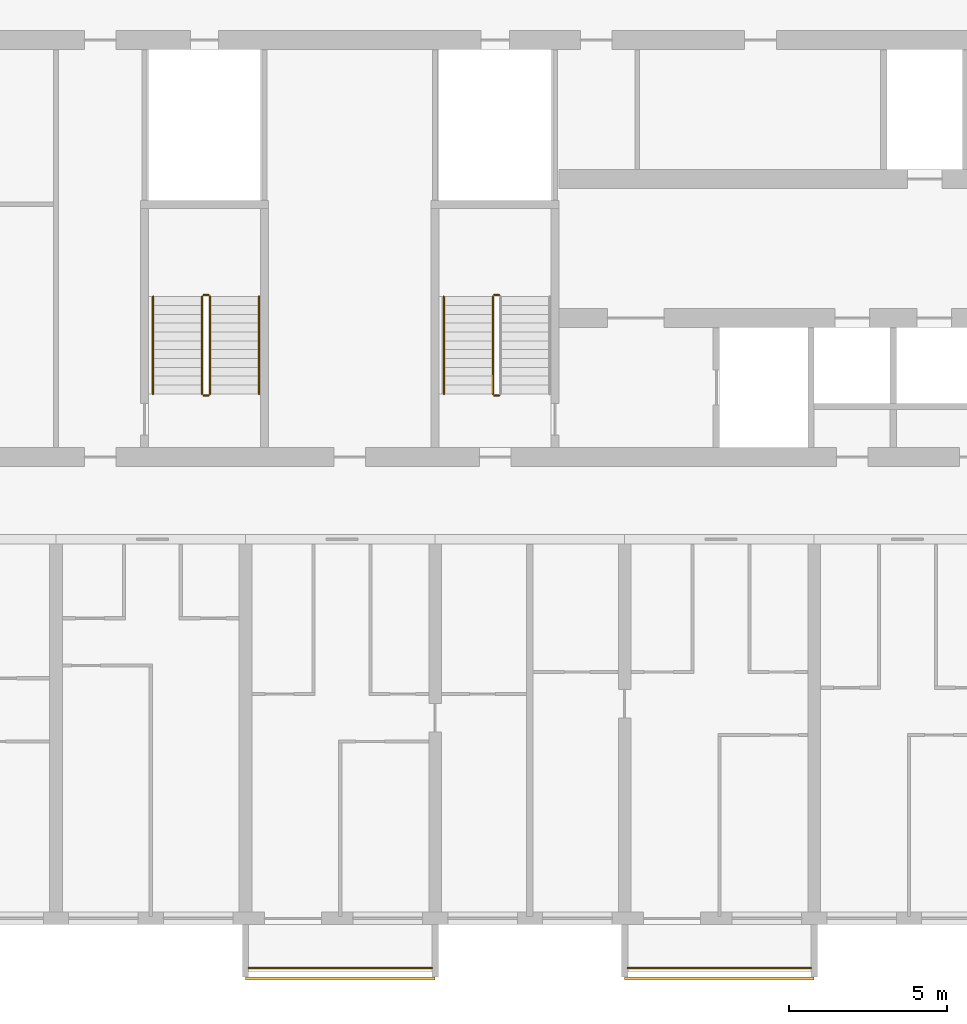
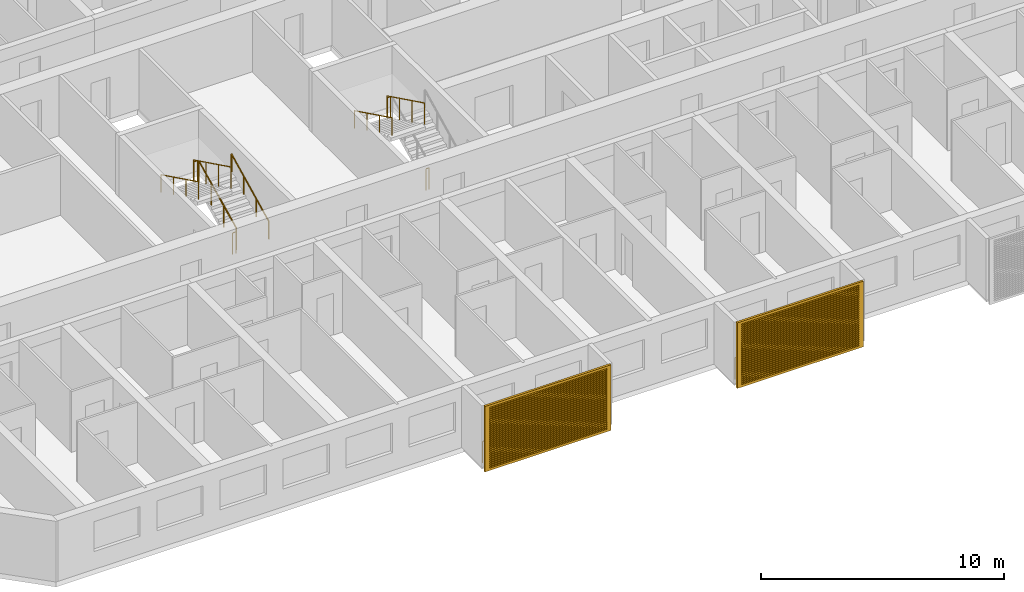
# One storey, part 21 of 44: 12 railings, 2 shading devices.
"""IFC4 building model written with IfcOpenShell, lengths in metres."""

from ifc_helpers import new_model, si_unit, direction, frame, origin, origin_2d, place, context, subcontext, project, spatial, polyline, circle, outline, extrude, source, transform, mapped, material, material_profile, profile_set, type_object, element, save


model = new_model("IFC4")

# Units and contexts
model_context = context("Model", 3, precision=1e-05, world=origin(), true_north=direction((0.0, 1.0)))
body_context = subcontext(model_context, "Body", "Model", "MODEL_VIEW")
ifc_project = project(units=[si_unit("LENGTHUNIT", "METRE"), si_unit("AREAUNIT", "SQUARE_METRE"), si_unit("VOLUMEUNIT", "CUBIC_METRE"), si_unit("PLANEANGLEUNIT", "RADIAN"), si_unit("MASSUNIT", "GRAM", prefix="KILO")], contexts=[model_context])

# Site, building, storey
site_placement = place(None, origin())
site = spatial("IfcSite", under=ifc_project, at=site_placement, CompositionType="ELEMENT")
building_placement = place(site_placement, origin())
building = spatial("IfcBuilding", under=site, at=building_placement, Name="Poui Terraces", CompositionType="ELEMENT")
storey_placement = place(building_placement, frame((0.0, 0.0, 30.0)))
storey = spatial("IfcBuildingStorey", under=building, at=storey_placement, Name="L07", CompositionType="ELEMENT", Elevation=30.0)

# Railings
ifc_material_1 = material(Name="Painted steel fretwork", Category="steel")
railing_type_1 = type_object("IfcRailingType", Name="BALCONY GUARD 1100", PredefinedType="GUARDRAIL", material=ifc_material_1)
for number, where, name in (
    (1, (24.10009765625, -1.570068359375, 0.0), "BALCONY GUARD"),
    (2, (36.10009765625, -1.570068359375, 0.0), "BALCONY GUARD"),
):
    element("IfcRailing", number, at=place(storey_placement, frame(where)), inside=storey, type_object=railing_type_1, Name=name, PredefinedType="GUARDRAIL", context=body_context, shape_type="SweptSolid", body=[
        extrude(circle(Radius=0.02392578125, at=origin_2d()), frame((0.0, 0.0, 1.076171875), z_axis=(1.0, 0.0, 0.0), x_axis=(0.0, 1.0, 0.0)), (0.0, 0.0, 1.0), 5.7998046875),
        extrude(circle(Radius=0.02099609375, at=origin_2d()), origin(), (0.0, 0.0, 1.0), 1.052001953125),
        extrude(circle(Radius=0.02099609375, at=origin_2d()), frame((0.966552734375, 0.0, 0.0)), (0.0, 0.0, 1.0), 1.052001953125),
        extrude(circle(Radius=0.02099609375, at=origin_2d()), frame((1.933349609375, 0.0, 0.0)), (0.0, 0.0, 1.0), 1.052001953125),
        extrude(circle(Radius=0.02099609375, at=origin_2d()), frame((2.89990234375, 0.0, 0.0)), (0.0, 0.0, 1.0), 1.052001953125),
        extrude(circle(Radius=0.02099609375, at=origin_2d()), frame((3.866455078125, 0.0, 0.0)), (0.0, 0.0, 1.0), 1.052001953125),
        extrude(circle(Radius=0.02099609375, at=origin_2d()), frame((4.833251953125, 0.0, 0.0)), (0.0, 0.0, 1.0), 1.052001953125),
        extrude(circle(Radius=0.02099609375, at=origin_2d()), frame((5.7998046875, 0.0, 0.0)), (0.0, 0.0, 1.0), 1.052001953125),
    ])
ifc_material_2 = material(Name="Galvanised steel balustrade", Category="steel")
railing_type_2 = type_object("IfcRailingType", Name="STAIR GUARD 1100", PredefinedType="GUARDRAIL", material=ifc_material_2)
railing_1_placement = place(storey_placement, frame((32.02490234375, 19.72998046875, 1.64990234375)))
element("IfcRailing", 3, at=railing_1_placement, inside=storey, type_object=railing_type_2, Name="L07 ST-CW stair guard 2", PredefinedType="GUARDRAIL", context=body_context, shape_type="SweptSolid", body=[
    extrude(circle(Radius=0.02392578125, at=origin_2d()), frame((0.0, 0.0, 1.076171875), z_axis=(-1.0, 0.0, 0.0), x_axis=(0.0, -1.0, 0.0)), (0.0, 0.0, 1.0), 0.14990234375),
    extrude(circle(Radius=0.02099609375, at=origin_2d()), origin(), (0.0, 0.0, 1.0), 1.052001953125),
    extrude(circle(Radius=0.02099609375, at=origin_2d()), frame((-0.14990234375, 0.0, 0.0)), (0.0, 0.0, 1.0), 1.052001953125),
])
railing_2_placement = place(storey_placement, frame((31.824951171875, 19.679931640625, 1.78759765625)))
element("IfcRailing", 4, at=railing_2_placement, inside=storey, type_object=railing_type_2, Name="L07 ST-CW stair guard 3", PredefinedType="GUARDRAIL", context=body_context, shape_type="SweptSolid", body=[
    extrude(circle(Radius=0.02392578125, at=origin_2d()), frame((0.0, 0.0, 1.076171875), z_axis=(0.0, -0.897606190399, 0.440798283751), x_axis=(1.0, 0.0, 0.0)), (0.0, 0.0, 1.0), 3.43115234375),
    extrude(circle(Radius=0.02099609375, at=origin_2d()), origin(), (0.0, 0.0, 1.0), 1.052001953125),
    extrude(circle(Radius=0.02099609375, at=origin_2d()), frame((0.0, -1.026611328125, 0.504150390625)), (0.0, 0.0, 1.0), 1.052001953125),
    extrude(circle(Radius=0.02099609375, at=origin_2d()), frame((0.0, -2.05322265625, 1.00830078125)), (0.0, 0.0, 1.0), 1.052001953125),
    extrude(circle(Radius=0.02099609375, at=origin_2d()), frame((0.0, -3.079833984375, 1.512451171875)), (0.0, 0.0, 1.0), 1.052001953125),
])
railing_3_placement = place(storey_placement, frame((32.02490234375, 16.550048828125, 0.0)))
element("IfcRailing", 5, at=railing_3_placement, inside=storey, type_object=railing_type_2, Name="L07 ST-CW stair guard 4", PredefinedType="GUARDRAIL", context=body_context, shape_type="SweptSolid", body=[
    extrude(circle(Radius=0.02392578125, at=origin_2d()), frame((0.0, 0.0, 1.076171875), z_axis=(-1.0, 0.0, 0.0), x_axis=(0.0, -1.0, 0.0)), (0.0, 0.0, 1.0), 0.14990234375),
    extrude(circle(Radius=0.02099609375, at=origin_2d()), origin(), (0.0, 0.0, 1.0), 1.052001953125),
    extrude(circle(Radius=0.02099609375, at=origin_2d()), frame((-0.14990234375, 0.0, 0.0)), (0.0, 0.0, 1.0), 1.052001953125),
])
railing_4_placement = place(storey_placement, frame((22.875, 16.60009765625, 0.137451171875)))
element("IfcRailing", 6, at=railing_4_placement, inside=storey, type_object=railing_type_2, Name="L07 ST-W stair guard 1", PredefinedType="GUARDRAIL", context=body_context, shape_type="SweptSolid", body=[
    extrude(circle(Radius=0.02392578125, at=origin_2d()), frame((0.0, 0.0, 1.076171875), z_axis=(0.0, 0.897606190399, 0.440798283751), x_axis=(-1.0, 0.0, 0.0)), (0.0, 0.0, 1.0), 3.43115234375),
    extrude(circle(Radius=0.02099609375, at=origin_2d()), origin(), (0.0, 0.0, 1.0), 1.052001953125),
    extrude(circle(Radius=0.02099609375, at=origin_2d()), frame((0.0, 1.026611328125, 0.504150390625)), (0.0, 0.0, 1.0), 1.052001953125),
    extrude(circle(Radius=0.02099609375, at=origin_2d()), frame((0.0, 2.05322265625, 1.00830078125)), (0.0, 0.0, 1.0), 1.052001953125),
    extrude(circle(Radius=0.02099609375, at=origin_2d()), frame((0.0, 3.079833984375, 1.512451171875)), (0.0, 0.0, 1.0), 1.052001953125),
])
railing_5_placement = place(storey_placement, frame((22.824951171875, 19.72998046875, 1.64990234375)))
element("IfcRailing", 7, at=railing_5_placement, inside=storey, type_object=railing_type_2, Name="L07 ST-W stair guard 2", PredefinedType="GUARDRAIL", context=body_context, shape_type="SweptSolid", body=[
    extrude(circle(Radius=0.02392578125, at=origin_2d()), frame((0.0, 0.0, 1.076171875), z_axis=(-1.0, 0.0, 0.0), x_axis=(0.0, -1.0, 0.0)), (0.0, 0.0, 1.0), 0.14990234375),
    extrude(circle(Radius=0.02099609375, at=origin_2d()), origin(), (0.0, 0.0, 1.0), 1.052001953125),
    extrude(circle(Radius=0.02099609375, at=origin_2d()), frame((-0.14990234375, 0.0, 0.0)), (0.0, 0.0, 1.0), 1.052001953125),
])
railing_6_placement = place(storey_placement, frame((22.625, 19.679931640625, 1.78759765625)))
element("IfcRailing", 8, at=railing_6_placement, inside=storey, type_object=railing_type_2, Name="L07 ST-W stair guard 3", PredefinedType="GUARDRAIL", context=body_context, shape_type="SweptSolid", body=[
    extrude(circle(Radius=0.02392578125, at=origin_2d()), frame((0.0, 0.0, 1.076171875), z_axis=(0.0, -0.897606190399, 0.440798283751), x_axis=(1.0, 0.0, 0.0)), (0.0, 0.0, 1.0), 3.43115234375),
    extrude(circle(Radius=0.02099609375, at=origin_2d()), origin(), (0.0, 0.0, 1.0), 1.052001953125),
    extrude(circle(Radius=0.02099609375, at=origin_2d()), frame((0.0, -1.026611328125, 0.504150390625)), (0.0, 0.0, 1.0), 1.052001953125),
    extrude(circle(Radius=0.02099609375, at=origin_2d()), frame((0.0, -2.05322265625, 1.00830078125)), (0.0, 0.0, 1.0), 1.052001953125),
    extrude(circle(Radius=0.02099609375, at=origin_2d()), frame((0.0, -3.079833984375, 1.512451171875)), (0.0, 0.0, 1.0), 1.052001953125),
])
railing_7_placement = place(storey_placement, frame((22.824951171875, 16.550048828125, 0.0)))
element("IfcRailing", 9, at=railing_7_placement, inside=storey, type_object=railing_type_2, Name="L07 ST-W stair guard 4", PredefinedType="GUARDRAIL", context=body_context, shape_type="SweptSolid", body=[
    extrude(circle(Radius=0.02392578125, at=origin_2d()), frame((0.0, 0.0, 1.076171875), z_axis=(-1.0, 0.0, 0.0), x_axis=(0.0, -1.0, 0.0)), (0.0, 0.0, 1.0), 0.14990234375),
    extrude(circle(Radius=0.02099609375, at=origin_2d()), origin(), (0.0, 0.0, 1.0), 1.052001953125),
    extrude(circle(Radius=0.02099609375, at=origin_2d()), frame((-0.14990234375, 0.0, 0.0)), (0.0, 0.0, 1.0), 1.052001953125),
])
ifc_material_3 = material(Name="Stainless steel handrail", Category="steel")
railing_type_3 = type_object("IfcRailingType", Name="STAIR HANDRAIL 900", PredefinedType="HANDRAIL", material=ifc_material_3)
railing_8_placement = place(storey_placement, frame((30.27490234375, 19.679931640625, 1.78759765625)))
element("IfcRailing", 10, at=railing_8_placement, inside=storey, type_object=railing_type_3, Name="L07 ST-CW stair handrail 2", PredefinedType="HANDRAIL", context=body_context, shape_type="SweptSolid", body=[
    extrude(circle(Radius=0.02392578125, at=origin_2d()), frame((0.0, 0.0, 0.8759765625), z_axis=(0.0, -0.897606190399, 0.440798283751), x_axis=(1.0, 0.0, 0.0)), (0.0, 0.0, 1.0), 3.43115234375),
    extrude(circle(Radius=0.02099609375, at=origin_2d()), origin(), (0.0, 0.0, 1.0), 0.851806640625),
    extrude(circle(Radius=0.02099609375, at=origin_2d()), frame((0.0, -1.026611328125, 0.504150390625)), (0.0, 0.0, 1.0), 0.851806640625),
    extrude(circle(Radius=0.02099609375, at=origin_2d()), frame((0.0, -2.05322265625, 1.00830078125)), (0.0, 0.0, 1.0), 0.851806640625),
    extrude(circle(Radius=0.02099609375, at=origin_2d()), frame((0.0, -3.079833984375, 1.512451171875)), (0.0, 0.0, 1.0), 0.851806640625),
])
railing_9_placement = place(storey_placement, frame((24.425048828125, 16.60009765625, 0.137451171875)))
element("IfcRailing", 11, at=railing_9_placement, inside=storey, type_object=railing_type_3, Name="L07 ST-W stair handrail 1", PredefinedType="HANDRAIL", context=body_context, shape_type="SweptSolid", body=[
    extrude(circle(Radius=0.02392578125, at=origin_2d()), frame((0.0, 0.0, 0.8759765625), z_axis=(0.0, 0.897606190399, 0.440798283751), x_axis=(-1.0, 0.0, 0.0)), (0.0, 0.0, 1.0), 3.43115234375),
    extrude(circle(Radius=0.02099609375, at=origin_2d()), origin(), (0.0, 0.0, 1.0), 0.851806640625),
    extrude(circle(Radius=0.02099609375, at=origin_2d()), frame((0.0, 1.026611328125, 0.504150390625)), (0.0, 0.0, 1.0), 0.851806640625),
    extrude(circle(Radius=0.02099609375, at=origin_2d()), frame((0.0, 2.05322265625, 1.00830078125)), (0.0, 0.0, 1.0), 0.851806640625),
    extrude(circle(Radius=0.02099609375, at=origin_2d()), frame((0.0, 3.079833984375, 1.512451171875)), (0.0, 0.0, 1.0), 0.851806640625),
])
railing_10_placement = place(storey_placement, frame((21.074951171875, 19.679931640625, 1.78759765625)))
element("IfcRailing", 12, at=railing_10_placement, inside=storey, type_object=railing_type_3, Name="L07 ST-W stair handrail 2", PredefinedType="HANDRAIL", context=body_context, shape_type="SweptSolid", body=[
    extrude(circle(Radius=0.02392578125, at=origin_2d()), frame((0.0, 0.0, 0.8759765625), z_axis=(0.0, -0.897606190399, 0.440798283751), x_axis=(1.0, 0.0, 0.0)), (0.0, 0.0, 1.0), 3.43115234375),
    extrude(circle(Radius=0.02099609375, at=origin_2d()), origin(), (0.0, 0.0, 1.0), 0.851806640625),
    extrude(circle(Radius=0.02099609375, at=origin_2d()), frame((0.0, -1.026611328125, 0.504150390625)), (0.0, 0.0, 1.0), 0.851806640625),
    extrude(circle(Radius=0.02099609375, at=origin_2d()), frame((0.0, -2.05322265625, 1.00830078125)), (0.0, 0.0, 1.0), 0.851806640625),
    extrude(circle(Radius=0.02099609375, at=origin_2d()), frame((0.0, -3.079833984375, 1.512451171875)), (0.0, 0.0, 1.0), 0.851806640625),
])

# Shading devices
ifc_material_4 = material(Name="Aluminium louvre", Category="aluminium")
ifc_material_profile = material_profile(ifc_material_4, outline(polyline([(-3.0, -1.64990234375), (3.0, -1.64990234375), (3.0, 1.64990234375), (-3.0, 1.64990234375), (-3.0, -1.64990234375)]), holes=[polyline([(-2.800048828125, -1.530029296875), (2.800048828125, -1.530029296875), (2.800048828125, -1.469970703125), (-2.800048828125, -1.469970703125), (-2.800048828125, -1.530029296875)]), polyline([(-2.800048828125, -1.429931640625), (2.800048828125, -1.429931640625), (2.800048828125, -1.3701171875), (-2.800048828125, -1.3701171875), (-2.800048828125, -1.429931640625)]), polyline([(-2.800048828125, -1.330078125), (2.800048828125, -1.330078125), (2.800048828125, -1.27001953125), (-2.800048828125, -1.27001953125), (-2.800048828125, -1.330078125)]), polyline([(-2.800048828125, -1.22998046875), (2.800048828125, -1.22998046875), (2.800048828125, -1.169921875), (-2.800048828125, -1.169921875), (-2.800048828125, -1.22998046875)]), polyline([(-2.800048828125, -1.1298828125), (2.800048828125, -1.1298828125), (2.800048828125, -1.070068359375), (-2.800048828125, -1.070068359375), (-2.800048828125, -1.1298828125)]), polyline([(-2.800048828125, -1.030029296875), (2.800048828125, -1.030029296875), (2.800048828125, -0.969970703125), (-2.800048828125, -0.969970703125), (-2.800048828125, -1.030029296875)]), polyline([(-2.800048828125, -0.929931640625), (2.800048828125, -0.929931640625), (2.800048828125, -0.8701171875), (-2.800048828125, -0.8701171875), (-2.800048828125, -0.929931640625)]), polyline([(-2.800048828125, -0.830078125), (2.800048828125, -0.830078125), (2.800048828125, -0.77001953125), (-2.800048828125, -0.77001953125), (-2.800048828125, -0.830078125)]), polyline([(-2.800048828125, -0.72998046875), (2.800048828125, -0.72998046875), (2.800048828125, -0.669921875), (-2.800048828125, -0.669921875), (-2.800048828125, -0.72998046875)]), polyline([(-2.800048828125, -0.6298828125), (2.800048828125, -0.6298828125), (2.800048828125, -0.570068359375), (-2.800048828125, -0.570068359375), (-2.800048828125, -0.6298828125)]), polyline([(-2.800048828125, -0.530029296875), (2.800048828125, -0.530029296875), (2.800048828125, -0.469970703125), (-2.800048828125, -0.469970703125), (-2.800048828125, -0.530029296875)]), polyline([(-2.800048828125, -0.429931640625), (2.800048828125, -0.429931640625), (2.800048828125, -0.3701171875), (-2.800048828125, -0.3701171875), (-2.800048828125, -0.429931640625)]), polyline([(-2.800048828125, -0.330078125), (2.800048828125, -0.330078125), (2.800048828125, -0.27001953125), (-2.800048828125, -0.27001953125), (-2.800048828125, -0.330078125)]), polyline([(-2.800048828125, -0.22998046875), (2.800048828125, -0.22998046875), (2.800048828125, -0.169921875), (-2.800048828125, -0.169921875), (-2.800048828125, -0.22998046875)]), polyline([(-2.800048828125, -0.1298828125), (2.800048828125, -0.1298828125), (2.800048828125, -0.070068359375), (-2.800048828125, -0.070068359375), (-2.800048828125, -0.1298828125)]), polyline([(-2.800048828125, -0.030029296875), (2.800048828125, -0.030029296875), (2.800048828125, 0.030029296875), (-2.800048828125, 0.030029296875), (-2.800048828125, -0.030029296875)]), polyline([(-2.800048828125, 0.070068359375), (2.800048828125, 0.070068359375), (2.800048828125, 0.1298828125), (-2.800048828125, 0.1298828125), (-2.800048828125, 0.070068359375)]), polyline([(-2.800048828125, 0.169921875), (2.800048828125, 0.169921875), (2.800048828125, 0.22998046875), (-2.800048828125, 0.22998046875), (-2.800048828125, 0.169921875)]), polyline([(-2.800048828125, 0.27001953125), (2.800048828125, 0.27001953125), (2.800048828125, 0.330078125), (-2.800048828125, 0.330078125), (-2.800048828125, 0.27001953125)]), polyline([(-2.800048828125, 0.3701171875), (2.800048828125, 0.3701171875), (2.800048828125, 0.429931640625), (-2.800048828125, 0.429931640625), (-2.800048828125, 0.3701171875)]), polyline([(-2.800048828125, 0.469970703125), (2.800048828125, 0.469970703125), (2.800048828125, 0.530029296875), (-2.800048828125, 0.530029296875), (-2.800048828125, 0.469970703125)]), polyline([(-2.800048828125, 0.570068359375), (2.800048828125, 0.570068359375), (2.800048828125, 0.6298828125), (-2.800048828125, 0.6298828125), (-2.800048828125, 0.570068359375)]), polyline([(-2.800048828125, 0.669921875), (2.800048828125, 0.669921875), (2.800048828125, 0.72998046875), (-2.800048828125, 0.72998046875), (-2.800048828125, 0.669921875)]), polyline([(-2.800048828125, 0.77001953125), (2.800048828125, 0.77001953125), (2.800048828125, 0.830078125), (-2.800048828125, 0.830078125), (-2.800048828125, 0.77001953125)]), polyline([(-2.800048828125, 0.8701171875), (2.800048828125, 0.8701171875), (2.800048828125, 0.929931640625), (-2.800048828125, 0.929931640625), (-2.800048828125, 0.8701171875)]), polyline([(-2.800048828125, 0.969970703125), (2.800048828125, 0.969970703125), (2.800048828125, 1.030029296875), (-2.800048828125, 1.030029296875), (-2.800048828125, 0.969970703125)]), polyline([(-2.800048828125, 1.070068359375), (2.800048828125, 1.070068359375), (2.800048828125, 1.1298828125), (-2.800048828125, 1.1298828125), (-2.800048828125, 1.070068359375)]), polyline([(-2.800048828125, 1.169921875), (2.800048828125, 1.169921875), (2.800048828125, 1.22998046875), (-2.800048828125, 1.22998046875), (-2.800048828125, 1.169921875)]), polyline([(-2.800048828125, 1.27001953125), (2.800048828125, 1.27001953125), (2.800048828125, 1.330078125), (-2.800048828125, 1.330078125), (-2.800048828125, 1.27001953125)]), polyline([(-2.800048828125, 1.3701171875), (2.800048828125, 1.3701171875), (2.800048828125, 1.429931640625), (-2.800048828125, 1.429931640625), (-2.800048828125, 1.3701171875)]), polyline([(-2.800048828125, 1.469970703125), (2.800048828125, 1.469970703125), (2.800048828125, 1.530029296875), (-2.800048828125, 1.530029296875), (-2.800048828125, 1.469970703125)])]), Name="JALOUSIE LOUVRE SHUTTER 6000X3300")
ifc_profile_set = profile_set([ifc_material_profile], Name="Aluminium louvre")
shading_device_type = type_object("IfcShadingDeviceType", Name="JALOUSIE LOUVRE SHUTTER 6000X3300", PredefinedType="JALOUSIE", material=ifc_profile_set)
shared_shape = source(origin(), body_context, "Body", "SweptSolid", [
    extrude(outline(polyline([(-3.0, -1.64990234375), (3.0, -1.64990234375), (3.0, 1.64990234375), (-3.0, 1.64990234375), (-3.0, -1.64990234375)]), holes=[polyline([(-2.800048828125, -1.530029296875), (2.800048828125, -1.530029296875), (2.800048828125, -1.469970703125), (-2.800048828125, -1.469970703125), (-2.800048828125, -1.530029296875)]), polyline([(-2.800048828125, -1.429931640625), (2.800048828125, -1.429931640625), (2.800048828125, -1.3701171875), (-2.800048828125, -1.3701171875), (-2.800048828125, -1.429931640625)]), polyline([(-2.800048828125, -1.330078125), (2.800048828125, -1.330078125), (2.800048828125, -1.27001953125), (-2.800048828125, -1.27001953125), (-2.800048828125, -1.330078125)]), polyline([(-2.800048828125, -1.22998046875), (2.800048828125, -1.22998046875), (2.800048828125, -1.169921875), (-2.800048828125, -1.169921875), (-2.800048828125, -1.22998046875)]), polyline([(-2.800048828125, -1.1298828125), (2.800048828125, -1.1298828125), (2.800048828125, -1.070068359375), (-2.800048828125, -1.070068359375), (-2.800048828125, -1.1298828125)]), polyline([(-2.800048828125, -1.030029296875), (2.800048828125, -1.030029296875), (2.800048828125, -0.969970703125), (-2.800048828125, -0.969970703125), (-2.800048828125, -1.030029296875)]), polyline([(-2.800048828125, -0.929931640625), (2.800048828125, -0.929931640625), (2.800048828125, -0.8701171875), (-2.800048828125, -0.8701171875), (-2.800048828125, -0.929931640625)]), polyline([(-2.800048828125, -0.830078125), (2.800048828125, -0.830078125), (2.800048828125, -0.77001953125), (-2.800048828125, -0.77001953125), (-2.800048828125, -0.830078125)]), polyline([(-2.800048828125, -0.72998046875), (2.800048828125, -0.72998046875), (2.800048828125, -0.669921875), (-2.800048828125, -0.669921875), (-2.800048828125, -0.72998046875)]), polyline([(-2.800048828125, -0.6298828125), (2.800048828125, -0.6298828125), (2.800048828125, -0.570068359375), (-2.800048828125, -0.570068359375), (-2.800048828125, -0.6298828125)]), polyline([(-2.800048828125, -0.530029296875), (2.800048828125, -0.530029296875), (2.800048828125, -0.469970703125), (-2.800048828125, -0.469970703125), (-2.800048828125, -0.530029296875)]), polyline([(-2.800048828125, -0.429931640625), (2.800048828125, -0.429931640625), (2.800048828125, -0.3701171875), (-2.800048828125, -0.3701171875), (-2.800048828125, -0.429931640625)]), polyline([(-2.800048828125, -0.330078125), (2.800048828125, -0.330078125), (2.800048828125, -0.27001953125), (-2.800048828125, -0.27001953125), (-2.800048828125, -0.330078125)]), polyline([(-2.800048828125, -0.22998046875), (2.800048828125, -0.22998046875), (2.800048828125, -0.169921875), (-2.800048828125, -0.169921875), (-2.800048828125, -0.22998046875)]), polyline([(-2.800048828125, -0.1298828125), (2.800048828125, -0.1298828125), (2.800048828125, -0.070068359375), (-2.800048828125, -0.070068359375), (-2.800048828125, -0.1298828125)]), polyline([(-2.800048828125, -0.030029296875), (2.800048828125, -0.030029296875), (2.800048828125, 0.030029296875), (-2.800048828125, 0.030029296875), (-2.800048828125, -0.030029296875)]), polyline([(-2.800048828125, 0.070068359375), (2.800048828125, 0.070068359375), (2.800048828125, 0.1298828125), (-2.800048828125, 0.1298828125), (-2.800048828125, 0.070068359375)]), polyline([(-2.800048828125, 0.169921875), (2.800048828125, 0.169921875), (2.800048828125, 0.22998046875), (-2.800048828125, 0.22998046875), (-2.800048828125, 0.169921875)]), polyline([(-2.800048828125, 0.27001953125), (2.800048828125, 0.27001953125), (2.800048828125, 0.330078125), (-2.800048828125, 0.330078125), (-2.800048828125, 0.27001953125)]), polyline([(-2.800048828125, 0.3701171875), (2.800048828125, 0.3701171875), (2.800048828125, 0.429931640625), (-2.800048828125, 0.429931640625), (-2.800048828125, 0.3701171875)]), polyline([(-2.800048828125, 0.469970703125), (2.800048828125, 0.469970703125), (2.800048828125, 0.530029296875), (-2.800048828125, 0.530029296875), (-2.800048828125, 0.469970703125)]), polyline([(-2.800048828125, 0.570068359375), (2.800048828125, 0.570068359375), (2.800048828125, 0.6298828125), (-2.800048828125, 0.6298828125), (-2.800048828125, 0.570068359375)]), polyline([(-2.800048828125, 0.669921875), (2.800048828125, 0.669921875), (2.800048828125, 0.72998046875), (-2.800048828125, 0.72998046875), (-2.800048828125, 0.669921875)]), polyline([(-2.800048828125, 0.77001953125), (2.800048828125, 0.77001953125), (2.800048828125, 0.830078125), (-2.800048828125, 0.830078125), (-2.800048828125, 0.77001953125)]), polyline([(-2.800048828125, 0.8701171875), (2.800048828125, 0.8701171875), (2.800048828125, 0.929931640625), (-2.800048828125, 0.929931640625), (-2.800048828125, 0.8701171875)]), polyline([(-2.800048828125, 0.969970703125), (2.800048828125, 0.969970703125), (2.800048828125, 1.030029296875), (-2.800048828125, 1.030029296875), (-2.800048828125, 0.969970703125)]), polyline([(-2.800048828125, 1.070068359375), (2.800048828125, 1.070068359375), (2.800048828125, 1.1298828125), (-2.800048828125, 1.1298828125), (-2.800048828125, 1.070068359375)]), polyline([(-2.800048828125, 1.169921875), (2.800048828125, 1.169921875), (2.800048828125, 1.22998046875), (-2.800048828125, 1.22998046875), (-2.800048828125, 1.169921875)]), polyline([(-2.800048828125, 1.27001953125), (2.800048828125, 1.27001953125), (2.800048828125, 1.330078125), (-2.800048828125, 1.330078125), (-2.800048828125, 1.27001953125)]), polyline([(-2.800048828125, 1.3701171875), (2.800048828125, 1.3701171875), (2.800048828125, 1.429931640625), (-2.800048828125, 1.429931640625), (-2.800048828125, 1.3701171875)]), polyline([(-2.800048828125, 1.469970703125), (2.800048828125, 1.469970703125), (2.800048828125, 1.530029296875), (-2.800048828125, 1.530029296875), (-2.800048828125, 1.469970703125)])]), origin(), (0.0, 0.0, 1.0), 0.099853515625),
])
for number, where, z_axis, x_axis, name in (
    (13, (27.0, -1.85009765625, 1.449951171875), (0.0, -1.0, 0.0), (1.0, 0.0, 0.0), "JALOUSIE LOUVRE SHUTTER"),
    (14, (39.0, -1.85009765625, 1.449951171875), (0.0, -1.0, 0.0), (1.0, 0.0, 0.0), "JALOUSIE LOUVRE SHUTTER"),
):
    element("IfcShadingDevice", number, at=place(storey_placement, frame(where, z_axis=z_axis, x_axis=x_axis)), inside=storey, type_object=shading_device_type, Name=name, PredefinedType="JALOUSIE", context=body_context, shape_type="MappedRepresentation", body=[
        mapped(shared_shape, transform((0.0, 0.0, 0.0))),
    ])

save(model, "model.ifc")
